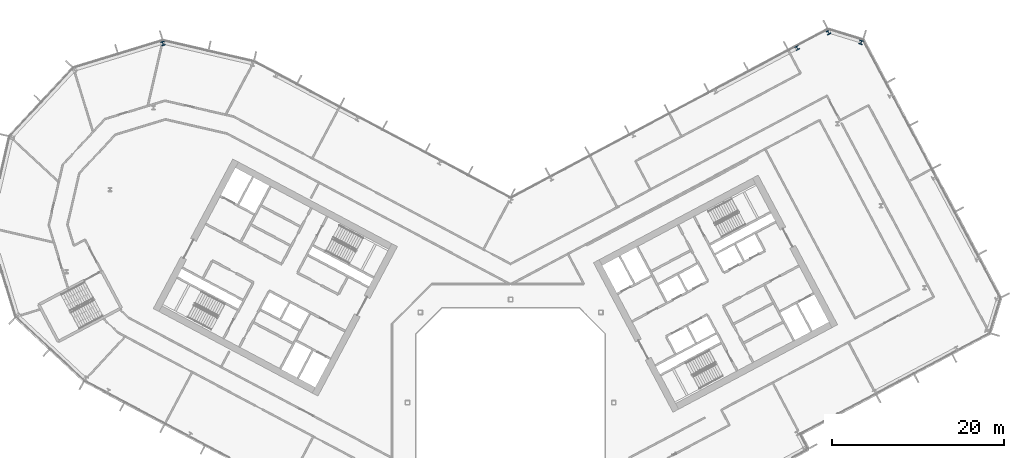
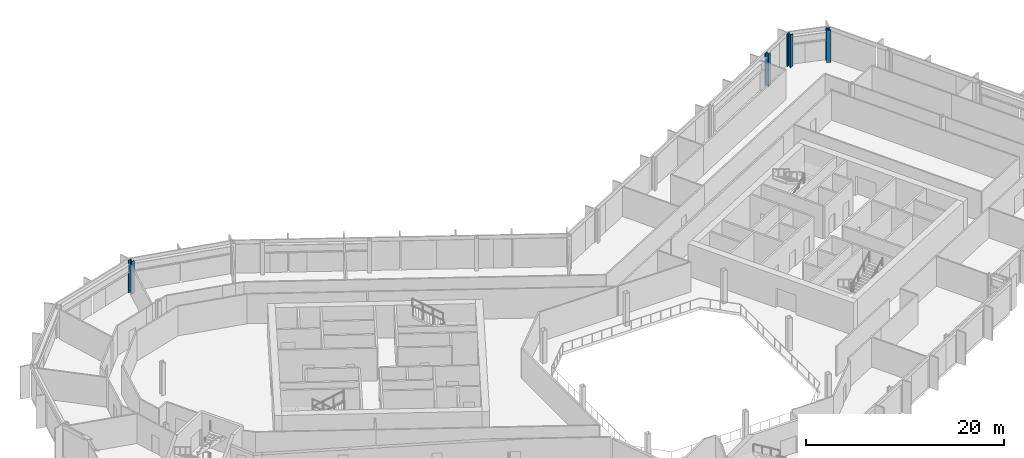
# One storey, part 8 of 28: 4 columns.
"""IFC4 building model written with IfcOpenShell, lengths in metres."""

from ifc_helpers import new_model, si_unit, direction, frame, origin, origin_2d, place, context, subcontext, project, spatial, i_section, extrude, material, material_profile, profile_set, type_object, element, save


model = new_model("IFC4")

# Units and contexts
model_context = context("Model", 3, precision=1e-05, world=origin(), true_north=direction((0.0, 1.0)))
body_context = subcontext(model_context, "Body", "Model", "MODEL_VIEW")
ifc_project = project(units=[si_unit("LENGTHUNIT", "METRE"), si_unit("AREAUNIT", "SQUARE_METRE"), si_unit("VOLUMEUNIT", "CUBIC_METRE"), si_unit("PLANEANGLEUNIT", "RADIAN"), si_unit("MASSUNIT", "GRAM", prefix="KILO")], contexts=[model_context])

# Site, building, storey
site_placement = place(None, origin())
site = spatial("IfcSite", under=ifc_project, at=site_placement, CompositionType="ELEMENT")
building_placement = place(site_placement, origin())
building = spatial("IfcBuilding", under=site, at=building_placement, Name="Cormorant Relay Tower", CompositionType="ELEMENT")
storey_placement = place(building_placement, frame((0.0, 0.0, 138.199951171875)))
storey = spatial("IfcBuildingStorey", under=building, at=storey_placement, Name="L28", CompositionType="ELEMENT", Elevation=138.199951171875)

# Columns
ifc_material_1 = material(Name="Steel ASTM A992 (Fy 345 MPa)", Category="steel")
ifc_material_profile_1 = material_profile(ifc_material_1, i_section(OverallWidth=0.41162109375, OverallDepth=0.434326171875, WebThickness=0.035888671875, FlangeThickness=0.057373046875, FilletRadius=0.01513671875, at=origin_2d()), Name="W360x463")
ifc_profile_set_1 = profile_set([ifc_material_profile_1], Name="Steel ASTM A992 (Fy 345 MPa)")
column_type_1 = type_object("IfcColumnType", Name="Column W360x463", PredefinedType="COLUMN", material=ifc_profile_set_1)
column_placement = place(storey_placement, frame((33.33203125, 41.258056640625, 0.0), z_axis=(0.0, 0.0, 1.0), x_axis=(-0.882947592859, -0.469471562786, 0.0)))
element("IfcColumn", 1, at=column_placement, inside=storey, type_object=column_type_1, Name="Column L28-047", PredefinedType="COLUMN", context=body_context, shape_type="SweptSolid", body=[
    extrude(i_section(OverallWidth=0.41162109375, OverallDepth=0.434326171875, WebThickness=0.035888671875, FlangeThickness=0.057373046875, FilletRadius=0.01513671875, at=origin_2d()), origin(), (0.0, 0.0, 1.0), 4.0),
])
ifc_material_2 = material(Name="Steel ASTM A992 (Fy 345 MPa)", Category="steel")
ifc_material_profile_2 = material_profile(ifc_material_2, i_section(OverallWidth=0.42431640625, OverallDepth=0.47509765625, WebThickness=0.0478515625, FlangeThickness=0.0771484375, FilletRadius=0.014892578125, at=origin_2d()), Name="W360x634")
ifc_profile_set_2 = profile_set([ifc_material_profile_2], Name="Steel ASTM A992 (Fy 345 MPa)")
column_type_2 = type_object("IfcColumnType", Name="Column W360x634", PredefinedType="COLUMN", material=ifc_profile_set_2)
for number, where, z_axis, x_axis, name in (
    (2, (-40.4541015625, 41.783935546875, 0.0), (0.0, 0.0, 1.0), (-0.956304755963, -0.292371704723, 0.0), "Column L28-048"),
    (3, (40.77197265625, 41.9130859375, 0.0), (0.0, 0.0, 1.0), (-0.956304755963, 0.292371704723, 0.0), "Column L28-049"),
    (4, (36.970947265625, 43.075927734375, 0.0), (0.0, 0.0, 1.0), (-0.882947592859, -0.469471562786, 0.0), "Column L28-050"),
):
    element("IfcColumn", number, at=place(storey_placement, frame(where, z_axis=z_axis, x_axis=x_axis)), inside=storey, type_object=column_type_2, Name=name, PredefinedType="COLUMN", context=body_context, shape_type="SweptSolid", body=[
        extrude(i_section(OverallWidth=0.42431640625, OverallDepth=0.47509765625, WebThickness=0.0478515625, FlangeThickness=0.0771484375, FilletRadius=0.014892578125, at=origin_2d()), origin(), (0.0, 0.0, 1.0), 4.0),
    ])

save(model, "model.ifc")
